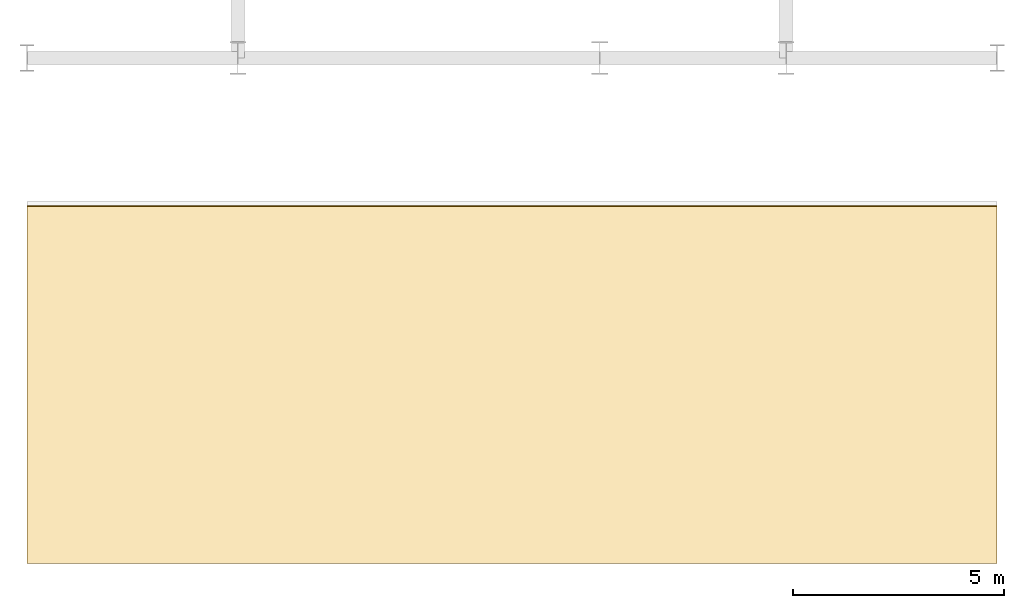
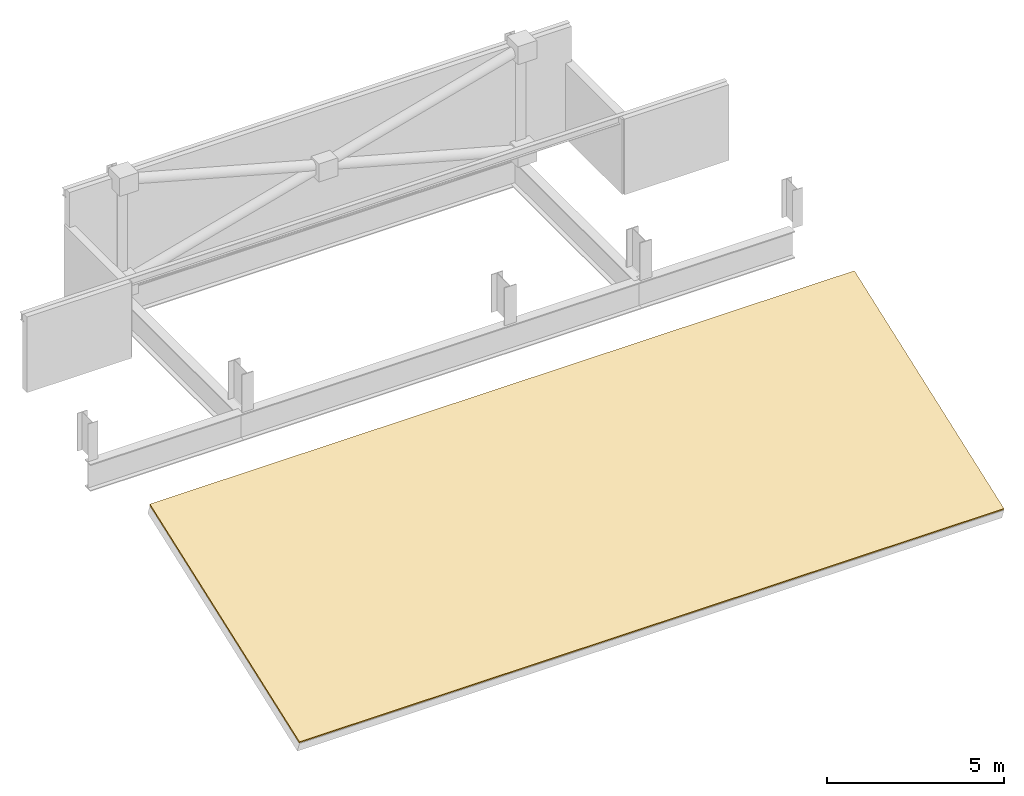
# One storey, part 2 of 2: 1 covering.
"""IFC4 building model written with IfcOpenShell, lengths in metres."""

from ifc_helpers import new_model, si_unit, direction, frame, origin, place, context, subcontext, project, spatial, polyline, outline, extrude, material, layer, layer_set, type_object, element, save


model = new_model("IFC4")

# Units and contexts
model_context = context("Model", 3, precision=1e-05, world=origin(), true_north=direction((0.0, 1.0)))
body_context = subcontext(model_context, "Body", "Model", "MODEL_VIEW")
ifc_project = project(units=[si_unit("LENGTHUNIT", "METRE"), si_unit("AREAUNIT", "SQUARE_METRE"), si_unit("VOLUMEUNIT", "CUBIC_METRE"), si_unit("PLANEANGLEUNIT", "RADIAN"), si_unit("MASSUNIT", "GRAM", prefix="KILO")], contexts=[model_context])

# Site, building, storey
site_placement = place(None, origin())
site = spatial("IfcSite", under=ifc_project, at=site_placement, CompositionType="ELEMENT")
building_placement = place(site_placement, origin())
building = spatial("IfcBuilding", under=site, at=building_placement, Name="Barlavira Tower and Art Museum", CompositionType="ELEMENT")
storey_placement = place(building_placement, frame((0.0, 0.0, 327.89990234375)))
storey = spatial("IfcBuildingStorey", under=building, at=storey_placement, Name="L85", CompositionType="ELEMENT", Elevation=327.89990234375)

# Covering
ifc_material = material(Name="Pale anodised aluminium", Category="aluminium")
ifc_layer = layer(ifc_material, 0.06005859375, Name="Pale anodised aluminium")
ifc_layer_set = layer_set([ifc_layer], Name="Pale anodised aluminium")
covering_type = type_object("IfcCoveringType", Name="Sloped Roof Standing-Seam Pale-Metal Weathering 60", PredefinedType="ROOFING", material=ifc_layer_set)
covering_placement = place(storey_placement, frame((-11.5, -4.47998046875, -2.64794921875), z_axis=(0.0, -0.342013041986, 0.939695205432), x_axis=(1.0, 0.0, 0.0)))
element("IfcCovering", 1, at=covering_placement, inside=storey, type_object=covering_type, Name="L85 Chisel Crown Standing-Seam Pale-Metal Roofing", PredefinedType="ROOFING", context=body_context, shape_type="SweptSolid", body=[
    extrude(outline(polyline([(0.0, 0.0), (23.0, 0.0), (23.0, 9.0028776230834), (0.0, 9.0028776230834), (0.0, 0.0)])), origin(), (0.0, 0.0, -1.0), 0.06005859375),
])

save(model, "model.ifc")
